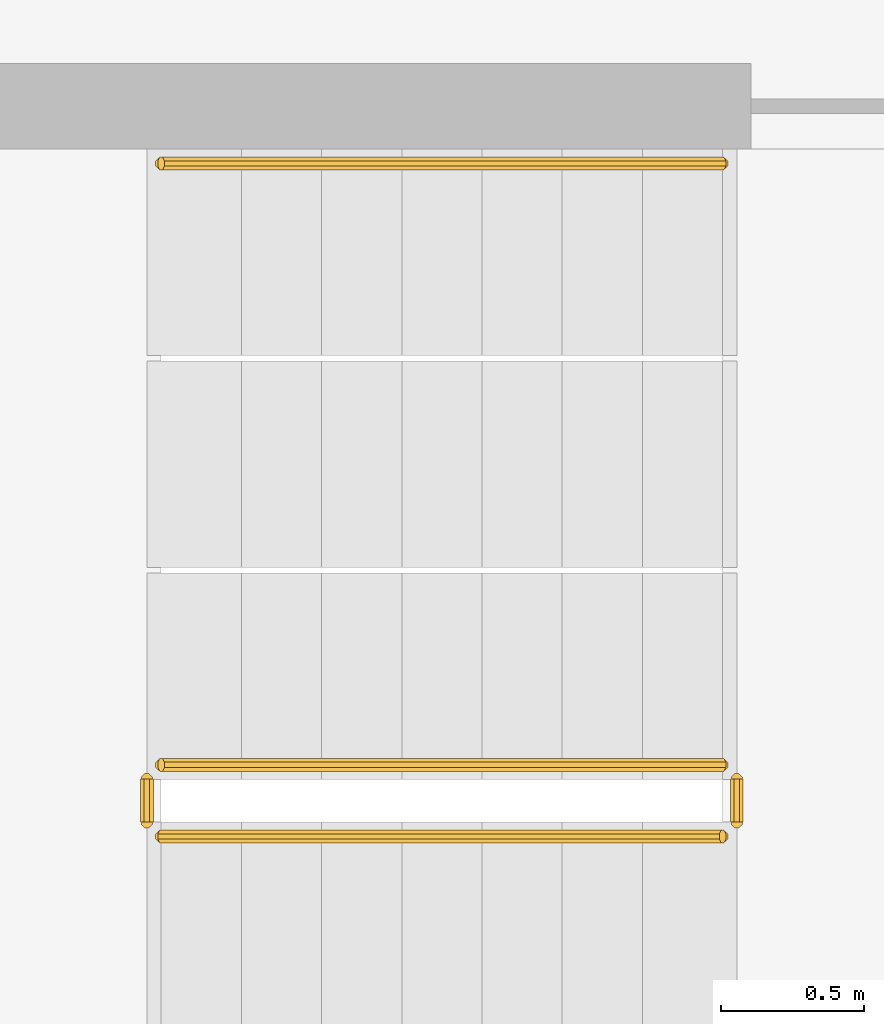
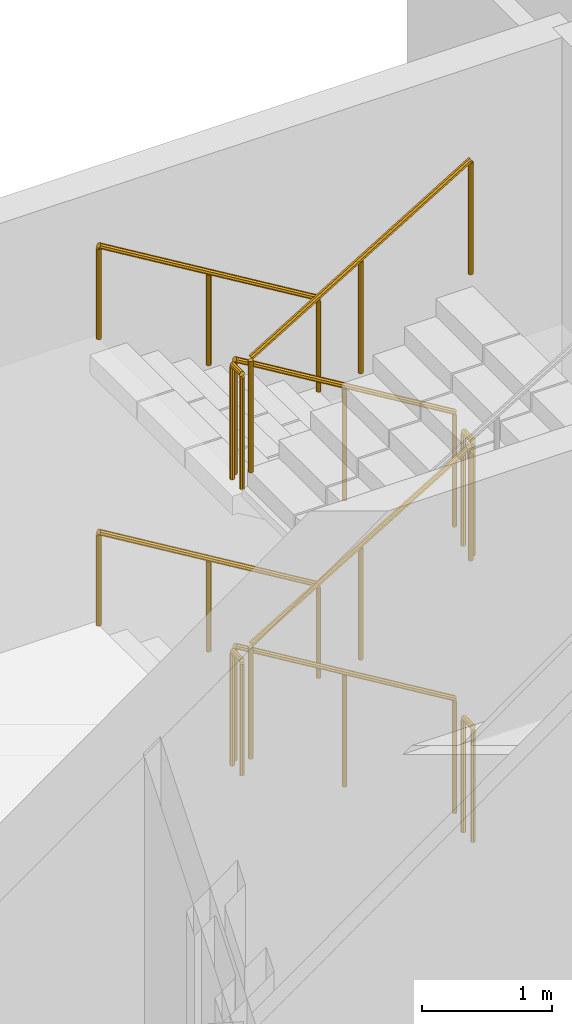
# One storey, part 21 of 32: 10 railings.
"""IFC4 building model written with IfcOpenShell, lengths in metres."""

from ifc_helpers import new_model, si_unit, direction, frame, origin, place, context, subcontext, project, spatial, polyline, outline, extrude, material, type_object, element, save


model = new_model("IFC4")

# Units and contexts
model_context = context("Model", 3, precision=1e-05, world=origin(), true_north=direction((0.0, 1.0)))
body_context = subcontext(model_context, "Body", "Model", "MODEL_VIEW")
ifc_project = project(units=[si_unit("LENGTHUNIT", "METRE"), si_unit("AREAUNIT", "SQUARE_METRE"), si_unit("VOLUMEUNIT", "CUBIC_METRE"), si_unit("PLANEANGLEUNIT", "RADIAN"), si_unit("MASSUNIT", "GRAM", prefix="KILO")], contexts=[model_context])

# Site, building, storey
site_placement = place(None, origin())
site = spatial("IfcSite", under=ifc_project, at=site_placement, CompositionType="ELEMENT")
building_placement = place(site_placement, origin())
building = spatial("IfcBuilding", under=site, at=building_placement, Name="Cormorant Relay Tower", CompositionType="ELEMENT")
storey_placement = place(building_placement, frame((0.0, 0.0, 60.800048828125)))
storey = spatial("IfcBuildingStorey", under=building, at=storey_placement, Name="L11", CompositionType="ELEMENT", Elevation=60.800048828125)

# Railings
ifc_material_1 = material(Name="Steel ASTM A572 Grade 50 (Fy 345 MPa)", Category="steel")
railing_type_1 = type_object("IfcRailingType", Name="Stair guard 1100", PredefinedType="GUARDRAIL", material=ifc_material_1)
railing_1_placement = place(storey_placement, frame((1.60009765625, -18.27490234375, 0.168701171875)))
element("IfcRailing", 1, at=railing_1_placement, inside=storey, type_object=railing_type_1, Name="L11 RK1 stair guard 1", PredefinedType="GUARDRAIL", context=body_context, shape_type="SweptSolid", body=[
    extrude(outline(polyline([(0.022216796875, 0.00927734375), (0.00927734375, 0.022216796875), (-0.00927734375, 0.022216796875), (-0.022216796875, 0.00927734375), (-0.022216796875, -0.00927734375), (-0.00927734375, -0.022216796875), (0.00927734375, -0.022216796875), (0.022216796875, -0.00927734375), (0.022216796875, 0.00927734375)])), frame((0.0, 0.0, 1.076171875), z_axis=(-0.856521883693, 0.0, 0.516110707847), x_axis=(0.0, -1.0, 0.0)), (0.0, 0.0, 1.0), 2.28857421875),
    extrude(outline(polyline([(0.019287109375, 0.008056640625), (0.008056640625, 0.019287109375), (-0.008056640625, 0.019287109375), (-0.019287109375, 0.008056640625), (-0.019287109375, -0.008056640625), (-0.008056640625, -0.019287109375), (0.008056640625, -0.019287109375), (0.019287109375, -0.008056640625), (0.019287109375, 0.008056640625)])), origin(), (0.0, 0.0, 1.0), 1.052001953125),
    extrude(outline(polyline([(0.019287109375, 0.008056640625), (0.008056640625, 0.019287109375), (-0.008056640625, 0.019287109375), (-0.019287109375, 0.008056640625), (-0.019287109375, -0.008056640625), (-0.008056640625, -0.019287109375), (0.008056640625, -0.019287109375), (0.019287109375, -0.008056640625), (0.019287109375, 0.008056640625)])), frame((-0.97998046875, 0.0, 0.590576171875)), (0.0, 0.0, 1.0), 1.052001953125),
    extrude(outline(polyline([(0.019287109375, 0.008056640625), (0.008056640625, 0.019287109375), (-0.008056640625, 0.019287109375), (-0.019287109375, 0.008056640625), (-0.019287109375, -0.008056640625), (-0.008056640625, -0.019287109375), (0.008056640625, -0.019287109375), (0.019287109375, -0.008056640625), (0.019287109375, 0.008056640625)])), frame((-1.960205078125, 0.0, 1.18115234375)), (0.0, 0.0, 1.0), 1.052001953125),
])
railing_2_placement = place(storey_placement, frame((-0.409912109375, -18.324951171875, 1.349853515625)))
element("IfcRailing", 2, at=railing_2_placement, inside=storey, type_object=railing_type_1, Name="L11 RK1 stair guard 2", PredefinedType="GUARDRAIL", context=body_context, shape_type="SweptSolid", body=[
    extrude(outline(polyline([(0.022216796875, 0.00927734375), (0.00927734375, 0.022216796875), (-0.00927734375, 0.022216796875), (-0.022216796875, 0.00927734375), (-0.022216796875, -0.00927734375), (-0.00927734375, -0.022216796875), (0.00927734375, -0.022216796875), (0.022216796875, -0.00927734375), (0.022216796875, 0.00927734375)])), frame((0.0, 0.0, 1.076171875), z_axis=(0.0, -1.0, 0.0), x_axis=(1.0, 0.0, 0.0)), (0.0, 0.0, 1.0), 0.150146484375),
    extrude(outline(polyline([(0.019287109375, 0.008056640625), (0.008056640625, 0.019287109375), (-0.008056640625, 0.019287109375), (-0.019287109375, 0.008056640625), (-0.019287109375, -0.008056640625), (-0.008056640625, -0.019287109375), (0.008056640625, -0.019287109375), (0.019287109375, -0.008056640625), (0.019287109375, 0.008056640625)])), origin(), (0.0, 0.0, 1.0), 1.052001953125),
    extrude(outline(polyline([(0.019287109375, 0.008056640625), (0.008056640625, 0.019287109375), (-0.008056640625, 0.019287109375), (-0.019287109375, 0.008056640625), (-0.019287109375, -0.008056640625), (-0.008056640625, -0.019287109375), (0.008056640625, -0.019287109375), (0.019287109375, -0.008056640625), (0.019287109375, 0.008056640625)])), frame((0.0, -0.150146484375, 0.0)), (0.0, 0.0, 1.0), 1.052001953125),
])
railing_3_placement = place(storey_placement, frame((-0.360107421875, -18.52490234375, 1.518798828125)))
element("IfcRailing", 3, at=railing_3_placement, inside=storey, type_object=railing_type_1, Name="L11 RK1 stair guard 3", PredefinedType="GUARDRAIL", context=body_context, shape_type="SweptSolid", body=[
    extrude(outline(polyline([(0.022216796875, 0.00927734375), (0.00927734375, 0.022216796875), (-0.00927734375, 0.022216796875), (-0.022216796875, 0.00927734375), (-0.022216796875, -0.00927734375), (-0.00927734375, -0.022216796875), (0.00927734375, -0.022216796875), (0.022216796875, -0.00927734375), (0.022216796875, 0.00927734375)])), frame((0.0, 0.0, 1.076171875), z_axis=(0.856521883693, 0.0, 0.516110707847), x_axis=(0.0, 1.0, 0.0)), (0.0, 0.0, 1.0), 2.28857421875),
    extrude(outline(polyline([(0.019287109375, 0.008056640625), (0.008056640625, 0.019287109375), (-0.008056640625, 0.019287109375), (-0.019287109375, 0.008056640625), (-0.019287109375, -0.008056640625), (-0.008056640625, -0.019287109375), (0.008056640625, -0.019287109375), (0.019287109375, -0.008056640625), (0.019287109375, 0.008056640625)])), origin(), (0.0, 0.0, 1.0), 1.052001953125),
    extrude(outline(polyline([(0.019287109375, 0.008056640625), (0.008056640625, 0.019287109375), (-0.008056640625, 0.019287109375), (-0.019287109375, 0.008056640625), (-0.019287109375, -0.008056640625), (-0.008056640625, -0.019287109375), (0.008056640625, -0.019287109375), (0.019287109375, -0.008056640625), (0.019287109375, 0.008056640625)])), frame((0.97998046875, 0.0, 0.590576171875)), (0.0, 0.0, 1.0), 1.052001953125),
    extrude(outline(polyline([(0.019287109375, 0.008056640625), (0.008056640625, 0.019287109375), (-0.008056640625, 0.019287109375), (-0.019287109375, 0.008056640625), (-0.019287109375, -0.008056640625), (-0.008056640625, -0.019287109375), (0.008056640625, -0.019287109375), (0.019287109375, -0.008056640625), (0.019287109375, 0.008056640625)])), frame((1.960205078125, 0.0, 1.18115234375)), (0.0, 0.0, 1.0), 1.052001953125),
])
railing_4_placement = place(storey_placement, frame((1.64990234375, -18.324951171875, 2.699951171875)))
element("IfcRailing", 4, at=railing_4_placement, inside=storey, type_object=railing_type_1, Name="L11 RK1 stair guard 4", PredefinedType="GUARDRAIL", context=body_context, shape_type="SweptSolid", body=[
    extrude(outline(polyline([(0.022216796875, 0.00927734375), (0.00927734375, 0.022216796875), (-0.00927734375, 0.022216796875), (-0.022216796875, 0.00927734375), (-0.022216796875, -0.00927734375), (-0.00927734375, -0.022216796875), (0.00927734375, -0.022216796875), (0.022216796875, -0.00927734375), (0.022216796875, 0.00927734375)])), frame((0.0, 0.0, 1.076171875), z_axis=(0.0, -1.0, 0.0), x_axis=(1.0, 0.0, 0.0)), (0.0, 0.0, 1.0), 0.150146484375),
    extrude(outline(polyline([(0.019287109375, 0.008056640625), (0.008056640625, 0.019287109375), (-0.008056640625, 0.019287109375), (-0.019287109375, 0.008056640625), (-0.019287109375, -0.008056640625), (-0.008056640625, -0.019287109375), (0.008056640625, -0.019287109375), (0.019287109375, -0.008056640625), (0.019287109375, 0.008056640625)])), origin(), (0.0, 0.0, 1.0), 1.052001953125),
    extrude(outline(polyline([(0.019287109375, 0.008056640625), (0.008056640625, 0.019287109375), (-0.008056640625, 0.019287109375), (-0.019287109375, 0.008056640625), (-0.019287109375, -0.008056640625), (-0.008056640625, -0.019287109375), (0.008056640625, -0.019287109375), (0.019287109375, -0.008056640625), (0.019287109375, 0.008056640625)])), frame((0.0, -0.150146484375, 0.0)), (0.0, 0.0, 1.0), 1.052001953125),
])
railing_5_placement = place(storey_placement, frame((1.60009765625, -18.27490234375, 2.86865234375)))
element("IfcRailing", 5, at=railing_5_placement, inside=storey, type_object=railing_type_1, Name="L11 RK1 stair guard 5", PredefinedType="GUARDRAIL", context=body_context, shape_type="SweptSolid", body=[
    extrude(outline(polyline([(0.022216796875, 0.00927734375), (0.00927734375, 0.022216796875), (-0.00927734375, 0.022216796875), (-0.022216796875, 0.00927734375), (-0.022216796875, -0.00927734375), (-0.00927734375, -0.022216796875), (0.00927734375, -0.022216796875), (0.022216796875, -0.00927734375), (0.022216796875, 0.00927734375)])), frame((0.0, 0.0, 1.076171875), z_axis=(-0.856474724393, 0.0, 0.516188963923), x_axis=(0.0, -1.0, 0.0)), (0.0, 0.0, 1.0), 2.28857421875),
    extrude(outline(polyline([(0.019287109375, 0.008056640625), (0.008056640625, 0.019287109375), (-0.008056640625, 0.019287109375), (-0.019287109375, 0.008056640625), (-0.019287109375, -0.008056640625), (-0.008056640625, -0.019287109375), (0.008056640625, -0.019287109375), (0.019287109375, -0.008056640625), (0.019287109375, 0.008056640625)])), origin(), (0.0, 0.0, 1.0), 1.052001953125),
    extrude(outline(polyline([(0.019287109375, 0.008056640625), (0.008056640625, 0.019287109375), (-0.008056640625, 0.019287109375), (-0.019287109375, 0.008056640625), (-0.019287109375, -0.008056640625), (-0.008056640625, -0.019287109375), (0.008056640625, -0.019287109375), (0.019287109375, -0.008056640625), (0.019287109375, 0.008056640625)])), frame((-0.97998046875, 0.0, 0.5908203125)), (0.0, 0.0, 1.0), 1.052001953125),
    extrude(outline(polyline([(0.019287109375, 0.008056640625), (0.008056640625, 0.019287109375), (-0.008056640625, 0.019287109375), (-0.019287109375, 0.008056640625), (-0.019287109375, -0.008056640625), (-0.008056640625, -0.019287109375), (0.008056640625, -0.019287109375), (0.019287109375, -0.008056640625), (0.019287109375, 0.008056640625)])), frame((-1.960205078125, 0.0, 1.181396484375)), (0.0, 0.0, 1.0), 1.052001953125),
])
railing_6_placement = place(storey_placement, frame((-0.409912109375, -18.324951171875, 4.050048828125)))
element("IfcRailing", 6, at=railing_6_placement, inside=storey, type_object=railing_type_1, Name="L11 RK1 stair guard 6", PredefinedType="GUARDRAIL", context=body_context, shape_type="SweptSolid", body=[
    extrude(outline(polyline([(0.022216796875, 0.00927734375), (0.00927734375, 0.022216796875), (-0.00927734375, 0.022216796875), (-0.022216796875, 0.00927734375), (-0.022216796875, -0.00927734375), (-0.00927734375, -0.022216796875), (0.00927734375, -0.022216796875), (0.022216796875, -0.00927734375), (0.022216796875, 0.00927734375)])), frame((0.0, 0.0, 1.076171875), z_axis=(0.0, -1.0, 0.0), x_axis=(1.0, 0.0, 0.0)), (0.0, 0.0, 1.0), 0.150146484375),
    extrude(outline(polyline([(0.019287109375, 0.008056640625), (0.008056640625, 0.019287109375), (-0.008056640625, 0.019287109375), (-0.019287109375, 0.008056640625), (-0.019287109375, -0.008056640625), (-0.008056640625, -0.019287109375), (0.008056640625, -0.019287109375), (0.019287109375, -0.008056640625), (0.019287109375, 0.008056640625)])), origin(), (0.0, 0.0, 1.0), 1.052001953125),
    extrude(outline(polyline([(0.019287109375, 0.008056640625), (0.008056640625, 0.019287109375), (-0.008056640625, 0.019287109375), (-0.019287109375, 0.008056640625), (-0.019287109375, -0.008056640625), (-0.008056640625, -0.019287109375), (0.008056640625, -0.019287109375), (0.019287109375, -0.008056640625), (0.019287109375, 0.008056640625)])), frame((0.0, -0.150146484375, 0.0)), (0.0, 0.0, 1.0), 1.052001953125),
])
railing_7_placement = place(storey_placement, frame((-0.360107421875, -18.52490234375, 4.21875)))
element("IfcRailing", 7, at=railing_7_placement, inside=storey, type_object=railing_type_1, Name="L11 RK1 stair guard 7", PredefinedType="GUARDRAIL", context=body_context, shape_type="SweptSolid", body=[
    extrude(outline(polyline([(0.022216796875, 0.00927734375), (0.00927734375, 0.022216796875), (-0.00927734375, 0.022216796875), (-0.022216796875, 0.00927734375), (-0.022216796875, -0.00927734375), (-0.00927734375, -0.022216796875), (0.00927734375, -0.022216796875), (0.022216796875, -0.00927734375), (0.022216796875, 0.00927734375)])), frame((0.0, 0.0, 1.076171875), z_axis=(0.856521883693, 0.0, 0.516110707847), x_axis=(0.0, 1.0, 0.0)), (0.0, 0.0, 1.0), 2.28857421875),
    extrude(outline(polyline([(0.019287109375, 0.008056640625), (0.008056640625, 0.019287109375), (-0.008056640625, 0.019287109375), (-0.019287109375, 0.008056640625), (-0.019287109375, -0.008056640625), (-0.008056640625, -0.019287109375), (0.008056640625, -0.019287109375), (0.019287109375, -0.008056640625), (0.019287109375, 0.008056640625)])), origin(), (0.0, 0.0, 1.0), 1.052001953125),
    extrude(outline(polyline([(0.019287109375, 0.008056640625), (0.008056640625, 0.019287109375), (-0.008056640625, 0.019287109375), (-0.019287109375, 0.008056640625), (-0.019287109375, -0.008056640625), (-0.008056640625, -0.019287109375), (0.008056640625, -0.019287109375), (0.019287109375, -0.008056640625), (0.019287109375, 0.008056640625)])), frame((0.97998046875, 0.0, 0.590576171875)), (0.0, 0.0, 1.0), 1.052001953125),
    extrude(outline(polyline([(0.019287109375, 0.008056640625), (0.008056640625, 0.019287109375), (-0.008056640625, 0.019287109375), (-0.019287109375, 0.008056640625), (-0.019287109375, -0.008056640625), (-0.008056640625, -0.019287109375), (0.008056640625, -0.019287109375), (0.019287109375, -0.008056640625), (0.019287109375, 0.008056640625)])), frame((1.960205078125, 0.0, 1.18115234375)), (0.0, 0.0, 1.0), 1.052001953125),
])
railing_8_placement = place(storey_placement, frame((1.64990234375, -18.324951171875, 0.0)))
element("IfcRailing", 8, at=railing_8_placement, inside=storey, type_object=railing_type_1, Name="L11 RK1 stair guard 8", PredefinedType="GUARDRAIL", context=body_context, shape_type="SweptSolid", body=[
    extrude(outline(polyline([(0.022216796875, 0.00927734375), (0.00927734375, 0.022216796875), (-0.00927734375, 0.022216796875), (-0.022216796875, 0.00927734375), (-0.022216796875, -0.00927734375), (-0.00927734375, -0.022216796875), (0.00927734375, -0.022216796875), (0.022216796875, -0.00927734375), (0.022216796875, 0.00927734375)])), frame((0.0, 0.0, 1.076171875), z_axis=(0.0, -1.0, 0.0), x_axis=(1.0, 0.0, 0.0)), (0.0, 0.0, 1.0), 0.150146484375),
    extrude(outline(polyline([(0.019287109375, 0.008056640625), (0.008056640625, 0.019287109375), (-0.008056640625, 0.019287109375), (-0.019287109375, 0.008056640625), (-0.019287109375, -0.008056640625), (-0.008056640625, -0.019287109375), (0.008056640625, -0.019287109375), (0.019287109375, -0.008056640625), (0.019287109375, 0.008056640625)])), origin(), (0.0, 0.0, 1.0), 1.052001953125),
    extrude(outline(polyline([(0.019287109375, 0.008056640625), (0.008056640625, 0.019287109375), (-0.008056640625, 0.019287109375), (-0.019287109375, 0.008056640625), (-0.019287109375, -0.008056640625), (-0.008056640625, -0.019287109375), (0.008056640625, -0.019287109375), (0.019287109375, -0.008056640625), (0.019287109375, 0.008056640625)])), frame((0.0, -0.150146484375, 0.0)), (0.0, 0.0, 1.0), 1.052001953125),
])
ifc_material_2 = material(Name="Steel ASTM A572 Grade 50 (Fy 345 MPa)", Category="steel")
railing_type_2 = type_object("IfcRailingType", Name="Stair handrail 900", PredefinedType="HANDRAIL", material=ifc_material_2)
railing_9_placement = place(storey_placement, frame((1.60009765625, -16.175048828125, 0.168701171875)))
element("IfcRailing", 9, at=railing_9_placement, inside=storey, type_object=railing_type_2, Name="L11 RK1 stair handrail 1", PredefinedType="HANDRAIL", context=body_context, shape_type="SweptSolid", body=[
    extrude(outline(polyline([(0.022216796875, 0.00927734375), (0.00927734375, 0.022216796875), (-0.00927734375, 0.022216796875), (-0.022216796875, 0.00927734375), (-0.022216796875, -0.00927734375), (-0.00927734375, -0.022216796875), (0.00927734375, -0.022216796875), (0.022216796875, -0.00927734375), (0.022216796875, 0.00927734375)])), frame((0.0, 0.0, 0.8759765625), z_axis=(-0.856521883693, 0.0, 0.516110707847), x_axis=(0.0, -1.0, 0.0)), (0.0, 0.0, 1.0), 2.28857421875),
    extrude(outline(polyline([(0.019287109375, 0.008056640625), (0.008056640625, 0.019287109375), (-0.008056640625, 0.019287109375), (-0.019287109375, 0.008056640625), (-0.019287109375, -0.008056640625), (-0.008056640625, -0.019287109375), (0.008056640625, -0.019287109375), (0.019287109375, -0.008056640625), (0.019287109375, 0.008056640625)])), origin(), (0.0, 0.0, 1.0), 0.851806640625),
    extrude(outline(polyline([(0.019287109375, 0.008056640625), (0.008056640625, 0.019287109375), (-0.008056640625, 0.019287109375), (-0.019287109375, 0.008056640625), (-0.019287109375, -0.008056640625), (-0.008056640625, -0.019287109375), (0.008056640625, -0.019287109375), (0.019287109375, -0.008056640625), (0.019287109375, 0.008056640625)])), frame((-0.97998046875, 0.0, 0.590576171875)), (0.0, 0.0, 1.0), 0.851806640625),
    extrude(outline(polyline([(0.019287109375, 0.008056640625), (0.008056640625, 0.019287109375), (-0.008056640625, 0.019287109375), (-0.019287109375, 0.008056640625), (-0.019287109375, -0.008056640625), (-0.008056640625, -0.019287109375), (0.008056640625, -0.019287109375), (0.019287109375, -0.008056640625), (0.019287109375, 0.008056640625)])), frame((-1.960205078125, 0.0, 1.18115234375)), (0.0, 0.0, 1.0), 0.851806640625),
])
railing_10_placement = place(storey_placement, frame((1.60009765625, -16.175048828125, 2.86865234375)))
element("IfcRailing", 10, at=railing_10_placement, inside=storey, type_object=railing_type_2, Name="L11 RK1 stair handrail 3", PredefinedType="HANDRAIL", context=body_context, shape_type="SweptSolid", body=[
    extrude(outline(polyline([(0.022216796875, 0.00927734375), (0.00927734375, 0.022216796875), (-0.00927734375, 0.022216796875), (-0.022216796875, 0.00927734375), (-0.022216796875, -0.00927734375), (-0.00927734375, -0.022216796875), (0.00927734375, -0.022216796875), (0.022216796875, -0.00927734375), (0.022216796875, 0.00927734375)])), frame((0.0, 0.0, 0.8759765625), z_axis=(-0.856474724393, 0.0, 0.516188963923), x_axis=(0.0, -1.0, 0.0)), (0.0, 0.0, 1.0), 2.28857421875),
    extrude(outline(polyline([(0.019287109375, 0.008056640625), (0.008056640625, 0.019287109375), (-0.008056640625, 0.019287109375), (-0.019287109375, 0.008056640625), (-0.019287109375, -0.008056640625), (-0.008056640625, -0.019287109375), (0.008056640625, -0.019287109375), (0.019287109375, -0.008056640625), (0.019287109375, 0.008056640625)])), origin(), (0.0, 0.0, 1.0), 0.851806640625),
    extrude(outline(polyline([(0.019287109375, 0.008056640625), (0.008056640625, 0.019287109375), (-0.008056640625, 0.019287109375), (-0.019287109375, 0.008056640625), (-0.019287109375, -0.008056640625), (-0.008056640625, -0.019287109375), (0.008056640625, -0.019287109375), (0.019287109375, -0.008056640625), (0.019287109375, 0.008056640625)])), frame((-0.97998046875, 0.0, 0.5908203125)), (0.0, 0.0, 1.0), 0.851806640625),
    extrude(outline(polyline([(0.019287109375, 0.008056640625), (0.008056640625, 0.019287109375), (-0.008056640625, 0.019287109375), (-0.019287109375, 0.008056640625), (-0.019287109375, -0.008056640625), (-0.008056640625, -0.019287109375), (0.008056640625, -0.019287109375), (0.019287109375, -0.008056640625), (0.019287109375, 0.008056640625)])), frame((-1.960205078125, 0.0, 1.181396484375)), (0.0, 0.0, 1.0), 0.851806640625),
])

save(model, "model.ifc")
